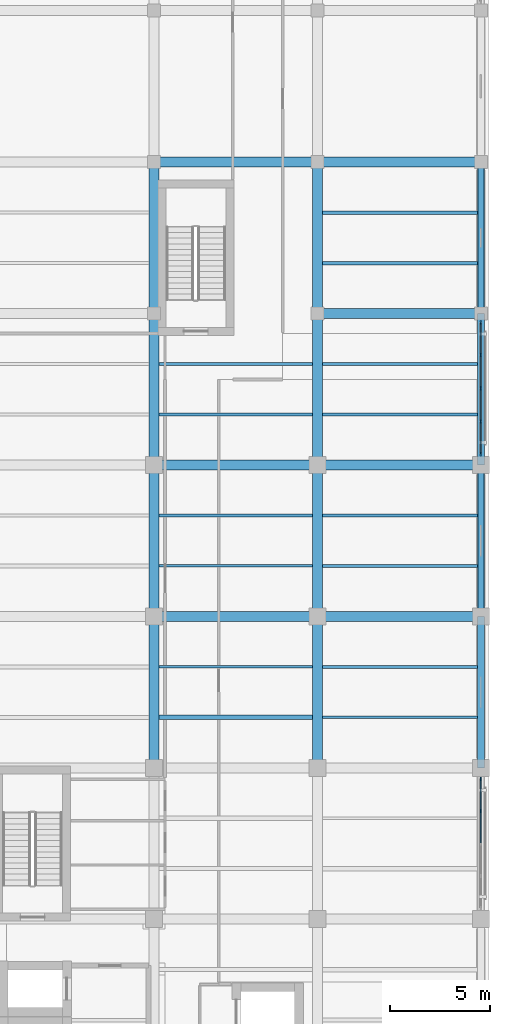
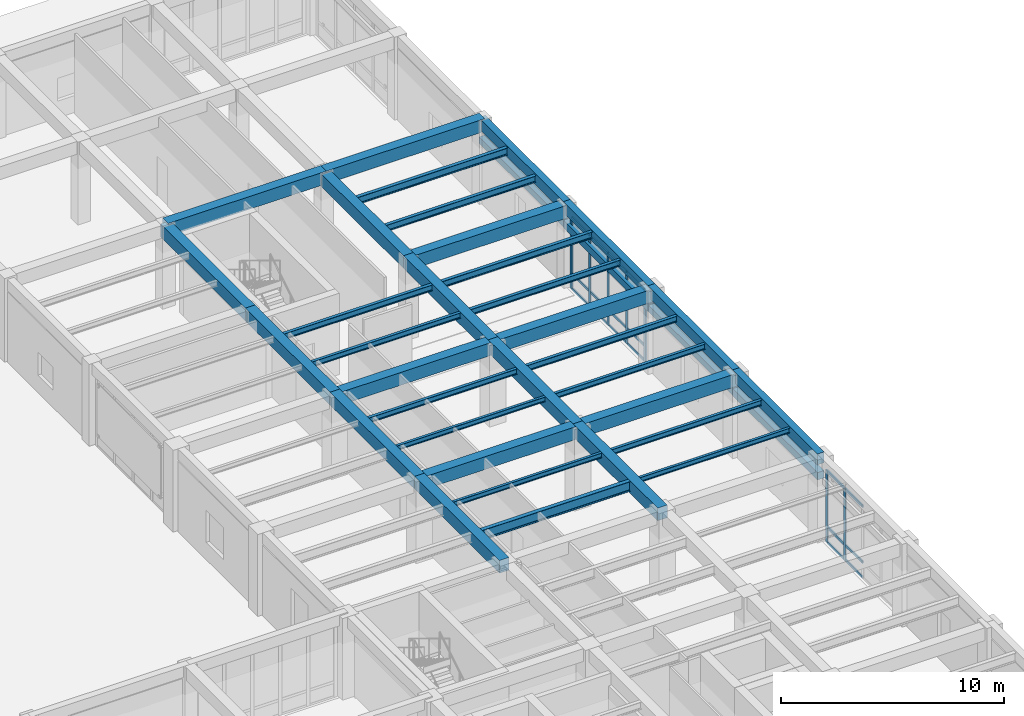
# One storey, part 9 of 23: 37 beams, 25 members, 2 elements without a shape of their own.
"""IFC4 building model written with IfcOpenShell, lengths in metres."""

from ifc_helpers import new_model, si_unit, direction, frame, origin, origin_2d, place, context, subcontext, project, spatial, rectangle, i_section, extrude, material, material_profile, profile_set, type_object, element, aggregate, save


model = new_model("IFC4")

# Units and contexts
model_context = context("Model", 3, precision=1e-05, world=origin(), true_north=direction((0.0, 1.0)))
body_context = subcontext(model_context, "Body", "Model", "MODEL_VIEW")
ifc_project = project(units=[si_unit("LENGTHUNIT", "METRE"), si_unit("AREAUNIT", "SQUARE_METRE"), si_unit("VOLUMEUNIT", "CUBIC_METRE"), si_unit("PLANEANGLEUNIT", "RADIAN"), si_unit("MASSUNIT", "GRAM", prefix="KILO")], contexts=[model_context])

# Site, building, storey
site_placement = place(None, origin())
site = spatial("IfcSite", under=ifc_project, at=site_placement, CompositionType="ELEMENT")
building_placement = place(site_placement, origin())
building = spatial("IfcBuilding", under=site, at=building_placement, Name="Qandaris Square Conservatory and Botanical Centre", CompositionType="ELEMENT")
storey_placement = place(building_placement, frame((0.0, 0.0, 15.0)))
storey = spatial("IfcBuildingStorey", under=building, at=storey_placement, Name="L03", CompositionType="ELEMENT", Elevation=15.0)

# Beams
ifc_material_1 = material(Name="Steel S355", Category="steel")
ifc_material_profile_1 = material_profile(ifc_material_1, i_section(OverallWidth=0.14990234375, OverallDepth=0.300048828125, WebThickness=0.007080078125, FlangeThickness=0.0107421875, FilletRadius=0.014892578125, at=origin_2d()), Name="IPE 300")
ifc_profile_set_1 = profile_set([ifc_material_profile_1], Name="Steel S355")
beam_type_1 = type_object("IfcBeamType", Name="Composite Lab Joist IPE 300", PredefinedType="JOIST", material=ifc_profile_set_1)
for number, where, z_axis, x_axis, name in (
    (1, (147.64990234375, 59.666748046875, 4.320068359375), (1.0, 0.0, 0.0), (0.0, 1.0, 0.0), "L03 Composite Joist 1670"),
    (2, (147.64990234375, 64.7333984375, 4.320068359375), (1.0, 0.0, 0.0), (0.0, 1.0, 0.0), "L03 Composite Joist 1671"),
):
    element("IfcBeam", number, at=place(storey_placement, frame(where, z_axis=z_axis, x_axis=x_axis)), inside=storey, type_object=beam_type_1, Name=name, PredefinedType="JOIST", context=body_context, shape_type="SweptSolid", body=[
        extrude(i_section(OverallWidth=0.14990234375, OverallDepth=0.300048828125, WebThickness=0.007080078125, FlangeThickness=0.0107421875, FilletRadius=0.014892578125, at=origin_2d()), origin(), (0.0, 0.0, 1.0), 7.7001953125),
    ])
for number, where, z_axis, x_axis, name in (
    (3, (155.85009765625, 52.066650390625, 4.320068359375), (1.0, 0.0, 0.0), (0.0, 1.0, 0.0), "L03 Composite Joist 1682"),
    (4, (155.85009765625, 57.13330078125, 4.320068359375), (1.0, 0.0, 0.0), (0.0, 1.0, 0.0), "L03 Composite Joist 1683"),
):
    element("IfcBeam", number, at=place(storey_placement, frame(where, z_axis=z_axis, x_axis=x_axis)), inside=storey, type_object=beam_type_1, Name=name, PredefinedType="JOIST", context=body_context, shape_type="SweptSolid", body=[
        extrude(i_section(OverallWidth=0.14990234375, OverallDepth=0.300048828125, WebThickness=0.007080078125, FlangeThickness=0.0107421875, FilletRadius=0.014892578125, at=origin_2d()), origin(), (0.0, 0.0, 1.0), 7.77490234375),
    ])
ifc_material_profile_2 = material_profile(ifc_material_1, i_section(OverallWidth=0.159912109375, OverallDepth=0.330078125, WebThickness=0.007568359375, FlangeThickness=0.011474609375, FilletRadius=0.01806640625, at=origin_2d()), Name="IPE 330")
ifc_profile_set_2 = profile_set([ifc_material_profile_2], Name="Steel S355")
beam_type_2 = type_object("IfcBeamType", Name="Composite Lab Joist IPE 330", PredefinedType="JOIST", material=ifc_profile_set_2)
beam_1_placement = place(storey_placement, frame((147.64990234375, 67.2666015625, 4.304931640625), z_axis=(1.0, 0.0, 0.0), x_axis=(0.0, 1.0, 0.0)))
element("IfcBeam", 5, at=beam_1_placement, inside=storey, type_object=beam_type_2, Name="L03 Composite Joist 1672", PredefinedType="JOIST", context=body_context, shape_type="SweptSolid", body=[
    extrude(i_section(OverallWidth=0.159912109375, OverallDepth=0.330078125, WebThickness=0.007568359375, FlangeThickness=0.011474609375, FilletRadius=0.01806640625, at=origin_2d()), origin(), (0.0, 0.0, 1.0), 7.7001953125),
])
for number, where, z_axis, x_axis, name in (
    (6, (155.85009765625, 59.666748046875, 4.304931640625), (1.0, 0.0, 0.0), (0.0, 1.0, 0.0), "L03 Composite Joist 1684"),
    (7, (155.85009765625, 64.7333984375, 4.304931640625), (1.0, 0.0, 0.0), (0.0, 1.0, 0.0), "L03 Composite Joist 1685"),
):
    element("IfcBeam", number, at=place(storey_placement, frame(where, z_axis=z_axis, x_axis=x_axis)), inside=storey, type_object=beam_type_2, Name=name, PredefinedType="JOIST", context=body_context, shape_type="SweptSolid", body=[
        extrude(i_section(OverallWidth=0.159912109375, OverallDepth=0.330078125, WebThickness=0.007568359375, FlangeThickness=0.011474609375, FilletRadius=0.01806640625, at=origin_2d()), origin(), (0.0, 0.0, 1.0), 7.77490234375),
    ])
ifc_material_profile_3 = material_profile(ifc_material_1, i_section(OverallWidth=0.169921875, OverallDepth=0.360107421875, WebThickness=0.008056640625, FlangeThickness=0.0126953125, FilletRadius=0.01806640625, at=origin_2d()), Name="IPE 360")
ifc_profile_set_3 = profile_set([ifc_material_profile_3], Name="Steel S355")
beam_type_3 = type_object("IfcBeamType", Name="Composite Lab Joist IPE 360", PredefinedType="JOIST", material=ifc_profile_set_3)
for number, where, z_axis, x_axis, name in (
    (8, (155.85009765625, 67.2666015625, 4.2900390625), (1.0, 0.0, 0.0), (0.0, 1.0, 0.0), "L03 Composite Joist 1686"),
    (9, (155.85009765625, 72.333251953125, 4.2900390625), (1.0, 0.0, 0.0), (0.0, 1.0, 0.0), "L03 Composite Joist 1687"),
):
    element("IfcBeam", number, at=place(storey_placement, frame(where, z_axis=z_axis, x_axis=x_axis)), inside=storey, type_object=beam_type_3, Name=name, PredefinedType="JOIST", context=body_context, shape_type="SweptSolid", body=[
        extrude(i_section(OverallWidth=0.169921875, OverallDepth=0.360107421875, WebThickness=0.008056640625, FlangeThickness=0.0126953125, FilletRadius=0.01806640625, at=origin_2d()), origin(), (0.0, 0.0, 1.0), 7.77490234375),
    ])
ifc_material_profile_4 = material_profile(ifc_material_1, i_section(OverallWidth=0.179931640625, OverallDepth=0.39990234375, WebThickness=0.008544921875, FlangeThickness=0.013427734375, FilletRadius=0.02099609375, at=origin_2d()), Name="IPE 400")
ifc_profile_set_4 = profile_set([ifc_material_profile_4], Name="Steel S355")
beam_type_4 = type_object("IfcBeamType", Name="Composite Plinth Joist IPE 400", PredefinedType="JOIST", material=ifc_profile_set_4)
beam_2_placement = place(storey_placement, frame((155.85009765625, 74.86669921875, 4.27001953125), z_axis=(1.0, 0.0, 0.0), x_axis=(0.0, 1.0, 0.0)))
element("IfcBeam", 10, at=beam_2_placement, inside=storey, type_object=beam_type_4, Name="L03 Composite Joist 1688", PredefinedType="JOIST", context=body_context, shape_type="SweptSolid", body=[
    extrude(i_section(OverallWidth=0.179931640625, OverallDepth=0.39990234375, WebThickness=0.008544921875, FlangeThickness=0.013427734375, FilletRadius=0.02099609375, at=origin_2d()), origin(), (0.0, 0.0, 1.0), 7.77490234375),
])

# Curtain wall, members
ifc_material_2 = material(Name="Anodised Aluminium", Category="aluminium")
curtain_wall_type_1 = type_object("IfcCurtainWallType", Name="Unitised Curtain Wall CW-4-655x394", PredefinedType="USERDEFINED", material=ifc_material_2)
curtain_wall_1_placement = place(storey_placement, origin())
curtain_wall_1 = element("IfcCurtainWall", 11, at=curtain_wall_1_placement, inside=storey, type_object=curtain_wall_type_1, Name="Curtain Wall CW-TWR-L03-2-4", ObjectType="GLAZED CURTAIN WALL", PredefinedType="USERDEFINED")
ifc_material_profile_5 = material_profile(ifc_material_2, rectangle(XDim=0.06494140625, YDim=0.179931640625, at=origin_2d()), Name="ALU-MUL 65x180")
ifc_profile_set_5 = profile_set([ifc_material_profile_5], Name="Anodised Aluminium")
member_type_1 = type_object("IfcMemberType", Name="Curtain Wall Mullion 65x180", PredefinedType="MULLION", material=ifc_profile_set_5)
member_1_placement = place(storey_placement, frame((163.800048828125, 44.83740234375, 0.0), z_axis=(0.0, 0.0, 1.0), x_axis=(-1.0, 0.0, 0.0)))
member_1 = element("IfcMember", 12, at=member_1_placement, type_object=member_type_1, Name="CW-4-655x394 mullion 4", PredefinedType="MULLION", context=body_context, shape_type="SweptSolid", body=[
    extrude(rectangle(XDim=0.06494140625, YDim=0.179931640625, at=origin_2d()), origin(), (0.0, 0.0, 1.0), 3.945068359375),
])
member_2_placement = place(storey_placement, frame((163.800048828125, 46.4423828125, 0.0), z_axis=(0.0, 0.0, 1.0), x_axis=(-1.0, 0.0, 0.0)))
member_2 = element("IfcMember", 13, at=member_2_placement, type_object=member_type_1, Name="CW-4-655x394 mullion 5", PredefinedType="MULLION", context=body_context, shape_type="SweptSolid", body=[
    extrude(rectangle(XDim=0.06494140625, YDim=0.179931640625, at=origin_2d()), origin(), (0.0, 0.0, 1.0), 3.945068359375),
])

curtain_wall_type_2 = type_object("IfcCurtainWallType", Name="Unitised Curtain Wall CW-4-665x394", PredefinedType="USERDEFINED", material=ifc_material_2)
curtain_wall_2_placement = place(storey_placement, origin())
curtain_wall_2 = element("IfcCurtainWall", 14, at=curtain_wall_2_placement, inside=storey, type_object=curtain_wall_type_2, Name="Curtain Wall CW-TWR-L03-2-7", ObjectType="GLAZED CURTAIN WALL", PredefinedType="USERDEFINED")
member_3_placement = place(storey_placement, frame((163.800048828125, 62.757568359375, 0.0), z_axis=(0.0, 0.0, 1.0), x_axis=(-1.0, 0.0, 0.0)))
member_3 = element("IfcMember", 15, at=member_3_placement, type_object=member_type_1, Name="CW-4-665x394 mullion 1", PredefinedType="MULLION", context=body_context, shape_type="SweptSolid", body=[
    extrude(rectangle(XDim=0.06494140625, YDim=0.179931640625, at=origin_2d()), origin(), (0.0, 0.0, 1.0), 3.945068359375),
])
member_4_placement = place(storey_placement, frame((163.800048828125, 64.387451171875, 0.0), z_axis=(0.0, 0.0, 1.0), x_axis=(-1.0, 0.0, 0.0)))
member_4 = element("IfcMember", 16, at=member_4_placement, type_object=member_type_1, Name="CW-4-665x394 mullion 2", PredefinedType="MULLION", context=body_context, shape_type="SweptSolid", body=[
    extrude(rectangle(XDim=0.06494140625, YDim=0.179931640625, at=origin_2d()), origin(), (0.0, 0.0, 1.0), 3.945068359375),
])
member_5_placement = place(storey_placement, frame((163.800048828125, 66.050048828125, 0.0), z_axis=(0.0, 0.0, 1.0), x_axis=(-1.0, 0.0, 0.0)))
member_5 = element("IfcMember", 17, at=member_5_placement, type_object=member_type_1, Name="CW-4-665x394 mullion 3", PredefinedType="MULLION", context=body_context, shape_type="SweptSolid", body=[
    extrude(rectangle(XDim=0.06494140625, YDim=0.179931640625, at=origin_2d()), origin(), (0.0, 0.0, 1.0), 3.945068359375),
])
member_6_placement = place(storey_placement, frame((163.800048828125, 67.71240234375, 0.0), z_axis=(0.0, 0.0, 1.0), x_axis=(-1.0, 0.0, 0.0)))
member_6 = element("IfcMember", 18, at=member_6_placement, type_object=member_type_1, Name="CW-4-665x394 mullion 4", PredefinedType="MULLION", context=body_context, shape_type="SweptSolid", body=[
    extrude(rectangle(XDim=0.06494140625, YDim=0.179931640625, at=origin_2d()), origin(), (0.0, 0.0, 1.0), 3.945068359375),
])
member_7_placement = place(storey_placement, frame((163.800048828125, 69.342529296875, 0.0), z_axis=(0.0, 0.0, 1.0), x_axis=(-1.0, 0.0, 0.0)))
member_7 = element("IfcMember", 19, at=member_7_placement, type_object=member_type_1, Name="CW-4-665x394 mullion 5", PredefinedType="MULLION", context=body_context, shape_type="SweptSolid", body=[
    extrude(rectangle(XDim=0.06494140625, YDim=0.179931640625, at=origin_2d()), origin(), (0.0, 0.0, 1.0), 3.945068359375),
])

# Member
ifc_material_profile_6 = material_profile(ifc_material_2, rectangle(XDim=0.06494140625, YDim=0.139892578125, at=origin_2d()), Name="ALU-TRN 65x140")
ifc_profile_set_6 = profile_set([ifc_material_profile_6], Name="Anodised Aluminium")
member_type_2 = type_object("IfcMemberType", Name="Curtain Wall Transom 65x140", PredefinedType="USERDEFINED", material=ifc_profile_set_6)
member_8_placement = place(storey_placement, frame((163.800048828125, 43.232421875, 0.032470703125), z_axis=(0.0, 1.0, 0.0), x_axis=(-1.0, 0.0, 0.0)))
member_8 = element("IfcMember", 20, at=member_8_placement, type_object=member_type_2, Name="CW-4-655x394 transom 3.1", ObjectType="TRANSOM", PredefinedType="USERDEFINED", context=body_context, shape_type="SweptSolid", body=[
    extrude(rectangle(XDim=0.06494140625, YDim=0.139892578125, at=origin_2d()), origin(), (0.0, 0.0, 1.0), 1.572509765625),
])

member_9_placement = place(storey_placement, frame((163.800048828125, 43.232421875, 0.85009765625), z_axis=(0.0, 1.0, 0.0), x_axis=(-1.0, 0.0, 0.0)))
member_9 = element("IfcMember", 21, at=member_9_placement, type_object=member_type_2, Name="CW-4-655x394 transom 3.2", ObjectType="TRANSOM", PredefinedType="USERDEFINED", context=body_context, shape_type="SweptSolid", body=[
    extrude(rectangle(XDim=0.06494140625, YDim=0.139892578125, at=origin_2d()), origin(), (0.0, 0.0, 1.0), 1.572509765625),
])

member_10_placement = place(storey_placement, frame((163.800048828125, 43.232421875, 3.91259765625), z_axis=(0.0, 1.0, 0.0), x_axis=(-1.0, 0.0, 0.0)))
member_10 = element("IfcMember", 22, at=member_10_placement, type_object=member_type_2, Name="CW-4-655x394 transom 3.3", ObjectType="TRANSOM", PredefinedType="USERDEFINED", context=body_context, shape_type="SweptSolid", body=[
    extrude(rectangle(XDim=0.06494140625, YDim=0.139892578125, at=origin_2d()), origin(), (0.0, 0.0, 1.0), 1.572509765625),
])

member_11_placement = place(storey_placement, frame((163.800048828125, 44.8701171875, 0.032470703125), z_axis=(0.0, 1.0, 0.0), x_axis=(-1.0, 0.0, 0.0)))
member_11 = element("IfcMember", 23, at=member_11_placement, type_object=member_type_2, Name="CW-4-655x394 transom 4.1", ObjectType="TRANSOM", PredefinedType="USERDEFINED", context=body_context, shape_type="SweptSolid", body=[
    extrude(rectangle(XDim=0.06494140625, YDim=0.139892578125, at=origin_2d()), origin(), (0.0, 0.0, 1.0), 1.539794921875),
])

member_12_placement = place(storey_placement, frame((163.800048828125, 44.8701171875, 0.85009765625), z_axis=(0.0, 1.0, 0.0), x_axis=(-1.0, 0.0, 0.0)))
member_12 = element("IfcMember", 24, at=member_12_placement, type_object=member_type_2, Name="CW-4-655x394 transom 4.2", ObjectType="TRANSOM", PredefinedType="USERDEFINED", context=body_context, shape_type="SweptSolid", body=[
    extrude(rectangle(XDim=0.06494140625, YDim=0.139892578125, at=origin_2d()), origin(), (0.0, 0.0, 1.0), 1.539794921875),
])

member_13_placement = place(storey_placement, frame((163.800048828125, 44.8701171875, 3.91259765625), z_axis=(0.0, 1.0, 0.0), x_axis=(-1.0, 0.0, 0.0)))
member_13 = element("IfcMember", 25, at=member_13_placement, type_object=member_type_2, Name="CW-4-655x394 transom 4.3", ObjectType="TRANSOM", PredefinedType="USERDEFINED", context=body_context, shape_type="SweptSolid", body=[
    extrude(rectangle(XDim=0.06494140625, YDim=0.139892578125, at=origin_2d()), origin(), (0.0, 0.0, 1.0), 1.539794921875),
])

aggregate(curtain_wall_1, [member_1, member_2, member_8, member_9, member_10, member_11, member_12, member_13])

member_14_placement = place(storey_placement, frame((163.800048828125, 62.7900390625, 0.032470703125), z_axis=(0.0, 1.0, 0.0), x_axis=(-1.0, 0.0, 0.0)))
member_14 = element("IfcMember", 26, at=member_14_placement, type_object=member_type_2, Name="CW-4-665x394 transom 1.1", ObjectType="TRANSOM", PredefinedType="USERDEFINED", context=body_context, shape_type="SweptSolid", body=[
    extrude(rectangle(XDim=0.06494140625, YDim=0.139892578125, at=origin_2d()), origin(), (0.0, 0.0, 1.0), 1.56494140625),
])

member_15_placement = place(storey_placement, frame((163.800048828125, 62.7900390625, 0.85009765625), z_axis=(0.0, 1.0, 0.0), x_axis=(-1.0, 0.0, 0.0)))
member_15 = element("IfcMember", 27, at=member_15_placement, type_object=member_type_2, Name="CW-4-665x394 transom 1.2", ObjectType="TRANSOM", PredefinedType="USERDEFINED", context=body_context, shape_type="SweptSolid", body=[
    extrude(rectangle(XDim=0.06494140625, YDim=0.139892578125, at=origin_2d()), origin(), (0.0, 0.0, 1.0), 1.56494140625),
])

member_16_placement = place(storey_placement, frame((163.800048828125, 62.7900390625, 3.91259765625), z_axis=(0.0, 1.0, 0.0), x_axis=(-1.0, 0.0, 0.0)))
member_16 = element("IfcMember", 28, at=member_16_placement, type_object=member_type_2, Name="CW-4-665x394 transom 1.3", ObjectType="TRANSOM", PredefinedType="USERDEFINED", context=body_context, shape_type="SweptSolid", body=[
    extrude(rectangle(XDim=0.06494140625, YDim=0.139892578125, at=origin_2d()), origin(), (0.0, 0.0, 1.0), 1.56494140625),
])

member_17_placement = place(storey_placement, frame((163.800048828125, 64.419921875, 0.032470703125), z_axis=(0.0, 1.0, 0.0), x_axis=(-1.0, 0.0, 0.0)))
member_17 = element("IfcMember", 29, at=member_17_placement, type_object=member_type_2, Name="CW-4-665x394 transom 2.1", ObjectType="TRANSOM", PredefinedType="USERDEFINED", context=body_context, shape_type="SweptSolid", body=[
    extrude(rectangle(XDim=0.06494140625, YDim=0.139892578125, at=origin_2d()), origin(), (0.0, 0.0, 1.0), 1.59765625),
])

member_18_placement = place(storey_placement, frame((163.800048828125, 64.419921875, 0.85009765625), z_axis=(0.0, 1.0, 0.0), x_axis=(-1.0, 0.0, 0.0)))
member_18 = element("IfcMember", 30, at=member_18_placement, type_object=member_type_2, Name="CW-4-665x394 transom 2.2", ObjectType="TRANSOM", PredefinedType="USERDEFINED", context=body_context, shape_type="SweptSolid", body=[
    extrude(rectangle(XDim=0.06494140625, YDim=0.139892578125, at=origin_2d()), origin(), (0.0, 0.0, 1.0), 1.59765625),
])

member_19_placement = place(storey_placement, frame((163.800048828125, 64.419921875, 3.91259765625), z_axis=(0.0, 1.0, 0.0), x_axis=(-1.0, 0.0, 0.0)))
member_19 = element("IfcMember", 31, at=member_19_placement, type_object=member_type_2, Name="CW-4-665x394 transom 2.3", ObjectType="TRANSOM", PredefinedType="USERDEFINED", context=body_context, shape_type="SweptSolid", body=[
    extrude(rectangle(XDim=0.06494140625, YDim=0.139892578125, at=origin_2d()), origin(), (0.0, 0.0, 1.0), 1.59765625),
])

member_20_placement = place(storey_placement, frame((163.800048828125, 66.08251953125, 0.032470703125), z_axis=(0.0, 1.0, 0.0), x_axis=(-1.0, 0.0, 0.0)))
member_20 = element("IfcMember", 32, at=member_20_placement, type_object=member_type_2, Name="CW-4-665x394 transom 3.1", ObjectType="TRANSOM", PredefinedType="USERDEFINED", context=body_context, shape_type="SweptSolid", body=[
    extrude(rectangle(XDim=0.06494140625, YDim=0.139892578125, at=origin_2d()), origin(), (0.0, 0.0, 1.0), 1.597412109375),
])

member_21_placement = place(storey_placement, frame((163.800048828125, 66.08251953125, 0.85009765625), z_axis=(0.0, 1.0, 0.0), x_axis=(-1.0, 0.0, 0.0)))
member_21 = element("IfcMember", 33, at=member_21_placement, type_object=member_type_2, Name="CW-4-665x394 transom 3.2", ObjectType="TRANSOM", PredefinedType="USERDEFINED", context=body_context, shape_type="SweptSolid", body=[
    extrude(rectangle(XDim=0.06494140625, YDim=0.139892578125, at=origin_2d()), origin(), (0.0, 0.0, 1.0), 1.597412109375),
])

member_22_placement = place(storey_placement, frame((163.800048828125, 66.08251953125, 3.91259765625), z_axis=(0.0, 1.0, 0.0), x_axis=(-1.0, 0.0, 0.0)))
member_22 = element("IfcMember", 34, at=member_22_placement, type_object=member_type_2, Name="CW-4-665x394 transom 3.3", ObjectType="TRANSOM", PredefinedType="USERDEFINED", context=body_context, shape_type="SweptSolid", body=[
    extrude(rectangle(XDim=0.06494140625, YDim=0.139892578125, at=origin_2d()), origin(), (0.0, 0.0, 1.0), 1.597412109375),
])

member_23_placement = place(storey_placement, frame((163.800048828125, 67.7451171875, 0.032470703125), z_axis=(0.0, 1.0, 0.0), x_axis=(-1.0, 0.0, 0.0)))
member_23 = element("IfcMember", 35, at=member_23_placement, type_object=member_type_2, Name="CW-4-665x394 transom 4.1", ObjectType="TRANSOM", PredefinedType="USERDEFINED", context=body_context, shape_type="SweptSolid", body=[
    extrude(rectangle(XDim=0.06494140625, YDim=0.139892578125, at=origin_2d()), origin(), (0.0, 0.0, 1.0), 1.56494140625),
])

member_24_placement = place(storey_placement, frame((163.800048828125, 67.7451171875, 0.85009765625), z_axis=(0.0, 1.0, 0.0), x_axis=(-1.0, 0.0, 0.0)))
member_24 = element("IfcMember", 36, at=member_24_placement, type_object=member_type_2, Name="CW-4-665x394 transom 4.2", ObjectType="TRANSOM", PredefinedType="USERDEFINED", context=body_context, shape_type="SweptSolid", body=[
    extrude(rectangle(XDim=0.06494140625, YDim=0.139892578125, at=origin_2d()), origin(), (0.0, 0.0, 1.0), 1.56494140625),
])

member_25_placement = place(storey_placement, frame((163.800048828125, 67.7451171875, 3.91259765625), z_axis=(0.0, 1.0, 0.0), x_axis=(-1.0, 0.0, 0.0)))
member_25 = element("IfcMember", 37, at=member_25_placement, type_object=member_type_2, Name="CW-4-665x394 transom 4.3", ObjectType="TRANSOM", PredefinedType="USERDEFINED", context=body_context, shape_type="SweptSolid", body=[
    extrude(rectangle(XDim=0.06494140625, YDim=0.139892578125, at=origin_2d()), origin(), (0.0, 0.0, 1.0), 1.56494140625),
])

aggregate(curtain_wall_2, [member_3, member_4, member_5, member_6, member_7, member_14, member_15, member_16, member_17, member_18, member_19, member_20, member_21, member_22, member_23, member_24, member_25])

# Beams
ifc_material_profile_7 = material_profile(ifc_material_1, i_section(OverallWidth=0.2099609375, OverallDepth=0.550048828125, WebThickness=0.010986328125, FlangeThickness=0.01708984375, FilletRadius=0.02392578125, at=origin_2d()), Name="IPE 550")
ifc_profile_set_7 = profile_set([ifc_material_profile_7], Name="Steel S355")
beam_type_5 = type_object("IfcBeamType", Name="Long-Span Foyer Joist IPE 550", PredefinedType="JOIST", material=ifc_profile_set_7)
beam_3_placement = place(storey_placement, frame((147.64990234375, 49.533203125, 4.195068359375), z_axis=(1.0, 0.0, 0.0), x_axis=(0.0, 1.0, 0.0)))
element("IfcBeam", 38, at=beam_3_placement, inside=storey, type_object=beam_type_5, Name="L03 Composite Joist 1667", PredefinedType="JOIST", context=body_context, shape_type="SweptSolid", body=[
    extrude(i_section(OverallWidth=0.2099609375, OverallDepth=0.550048828125, WebThickness=0.010986328125, FlangeThickness=0.01708984375, FilletRadius=0.02392578125, at=origin_2d()), origin(), (0.0, 0.0, 1.0), 7.7001953125),
])
ifc_material_3 = material(Name="Precast concrete C40/50", Category="concrete")
ifc_material_profile_8 = material_profile(ifc_material_3, rectangle(XDim=0.300048828125, YDim=0.35009765625, at=origin_2d()), Name="RC-LN 300x350")
ifc_profile_set_8 = profile_set([ifc_material_profile_8], Name="Precast concrete C40/50")
beam_type_6 = type_object("IfcBeamType", Name="Precast Opening Lintel 300x350", PredefinedType="LINTEL", material=ifc_profile_set_8)
for number, where, z_axis, x_axis, name in (
    (39, (163.800048828125, 54.60009765625, 3.294921875), (0.0, 1.0, 0.0), (-1.0, 0.0, 0.0), "Precast Lintel 042"),
    (40, (163.800048828125, 69.800048828125, 3.294921875), (0.0, 1.0, 0.0), (-1.0, 0.0, 0.0), "Precast Lintel 044"),
):
    element("IfcBeam", number, at=place(storey_placement, frame(where, z_axis=z_axis, x_axis=x_axis)), inside=storey, type_object=beam_type_6, Name=name, PredefinedType="LINTEL", context=body_context, shape_type="SweptSolid", body=[
        extrude(rectangle(XDim=0.300048828125, YDim=0.35009765625, at=origin_2d()), origin(), (0.0, 0.0, 1.0), 7.599853515625),
    ])
ifc_material_profile_9 = material_profile(ifc_material_3, rectangle(XDim=0.35009765625, YDim=0.39990234375, at=origin_2d()), Name="RC-LN 350x400")
ifc_profile_set_9 = profile_set([ifc_material_profile_9], Name="Precast concrete C40/50")
beam_type_7 = type_object("IfcBeamType", Name="Precast Opening Lintel 350x400", PredefinedType="LINTEL", material=ifc_profile_set_9)
for number, where, z_axis, x_axis, name in (
    (41, (163.800048828125, 47.0, 3.320068359375), (0.0, 1.0, 0.0), (-1.0, 0.0, 0.0), "Precast Lintel 041"),
    (42, (163.800048828125, 62.199951171875, 3.320068359375), (0.0, 1.0, 0.0), (-1.0, 0.0, 0.0), "Precast Lintel 043"),
):
    element("IfcBeam", number, at=place(storey_placement, frame(where, z_axis=z_axis, x_axis=x_axis)), inside=storey, type_object=beam_type_7, Name=name, PredefinedType="LINTEL", context=body_context, shape_type="SweptSolid", body=[
        extrude(rectangle(XDim=0.35009765625, YDim=0.39990234375, at=origin_2d()), origin(), (0.0, 0.0, 1.0), 7.60009765625),
    ])
ifc_material_4 = material(Name="Concrete C50/60", Category="concrete")
ifc_material_profile_10 = material_profile(ifc_material_4, rectangle(XDim=0.35009765625, YDim=0.60009765625, at=origin_2d()), Name="RC-SP 350x600")
ifc_profile_set_10 = profile_set([ifc_material_profile_10], Name="Concrete C50/60")
beam_type_8 = type_object("IfcBeamType", Name="RC Edge Spandrel Beam 350x600", PredefinedType="SPANDREL", material=ifc_profile_set_10)
beam_4_placement = place(storey_placement, frame((163.800048828125, 47.0, 4.2451171875), z_axis=(0.0, 1.0, 0.0), x_axis=(-1.0, 0.0, 0.0)))
element("IfcBeam", 43, at=beam_4_placement, inside=storey, type_object=beam_type_8, Name="L03 Frame Beam 1627", PredefinedType="SPANDREL", context=body_context, shape_type="SweptSolid", body=[
    extrude(rectangle(XDim=0.35009765625, YDim=0.60009765625, at=origin_2d()), origin(), (0.0, 0.0, 1.0), 7.60009765625),
])
beam_5_placement = place(storey_placement, frame((163.800048828125, 54.60009765625, 4.2451171875), z_axis=(0.0, 1.0, 0.0), x_axis=(-1.0, 0.0, 0.0)))
element("IfcBeam", 44, at=beam_5_placement, inside=storey, type_object=beam_type_8, Name="L03 Frame Beam 1628", PredefinedType="SPANDREL", context=body_context, shape_type="SweptSolid", body=[
    extrude(rectangle(XDim=0.35009765625, YDim=0.60009765625, at=origin_2d()), origin(), (0.0, 0.0, 1.0), 7.599853515625),
])
beam_6_placement = place(storey_placement, frame((163.800048828125, 62.199951171875, 4.2451171875), z_axis=(0.0, 1.0, 0.0), x_axis=(-1.0, 0.0, 0.0)))
element("IfcBeam", 45, at=beam_6_placement, inside=storey, type_object=beam_type_8, Name="L03 Frame Beam 1629", PredefinedType="SPANDREL", context=body_context, shape_type="SweptSolid", body=[
    extrude(rectangle(XDim=0.35009765625, YDim=0.60009765625, at=origin_2d()), origin(), (0.0, 0.0, 1.0), 7.60009765625),
])
beam_7_placement = place(storey_placement, frame((163.800048828125, 69.800048828125, 4.2451171875), z_axis=(0.0, 1.0, 0.0), x_axis=(-1.0, 0.0, 0.0)))
element("IfcBeam", 46, at=beam_7_placement, inside=storey, type_object=beam_type_8, Name="L03 Frame Beam 1630", PredefinedType="SPANDREL", context=body_context, shape_type="SweptSolid", body=[
    extrude(rectangle(XDim=0.35009765625, YDim=0.60009765625, at=origin_2d()), origin(), (0.0, 0.0, 1.0), 7.599853515625),
])
ifc_material_profile_11 = material_profile(ifc_material_4, rectangle(XDim=0.5, YDim=0.699951171875, at=origin_2d()), Name="RC-BM 500x700")
ifc_profile_set_11 = profile_set([ifc_material_profile_11], Name="Concrete C50/60")
beam_type_9 = type_object("IfcBeamType", Name="RC Floor Girder 500x700", PredefinedType="BEAM", material=ifc_profile_set_11)
beam_8_placement = place(storey_placement, frame((147.39990234375, 54.60009765625, 4.1298828125), z_axis=(1.0, 0.0, 0.0), x_axis=(0.0, 1.0, 0.0)))
element("IfcBeam", 47, at=beam_8_placement, inside=storey, type_object=beam_type_9, Name="L03 Frame Beam 1565", PredefinedType="BEAM", context=body_context, shape_type="SweptSolid", body=[
    extrude(rectangle(XDim=0.5, YDim=0.699951171875, at=origin_2d()), origin(), (0.0, 0.0, 1.0), 8.2001953125),
])
beam_9_placement = place(storey_placement, frame((155.60009765625, 54.60009765625, 4.1298828125), z_axis=(1.0, 0.0, 0.0), x_axis=(0.0, 1.0, 0.0)))
element("IfcBeam", 48, at=beam_9_placement, inside=storey, type_object=beam_type_9, Name="L03 Frame Beam 1566", PredefinedType="BEAM", context=body_context, shape_type="SweptSolid", body=[
    extrude(rectangle(XDim=0.5, YDim=0.699951171875, at=origin_2d()), origin(), (0.0, 0.0, 1.0), 8.199951171875),
])
beam_10_placement = place(storey_placement, frame((147.39990234375, 62.199951171875, 4.1298828125), z_axis=(1.0, 0.0, 0.0), x_axis=(0.0, 1.0, 0.0)))
element("IfcBeam", 49, at=beam_10_placement, inside=storey, type_object=beam_type_9, Name="L03 Frame Beam 1568", PredefinedType="BEAM", context=body_context, shape_type="SweptSolid", body=[
    extrude(rectangle(XDim=0.5, YDim=0.699951171875, at=origin_2d()), origin(), (0.0, 0.0, 1.0), 8.2001953125),
])
for number, where, z_axis, x_axis, name in (
    (50, (155.60009765625, 62.199951171875, 4.1298828125), (1.0, 0.0, 0.0), (0.0, 1.0, 0.0), "L03 Frame Beam 1569"),
    (51, (155.60009765625, 69.800048828125, 4.1298828125), (1.0, 0.0, 0.0), (0.0, 1.0, 0.0), "L03 Frame Beam 1571"),
):
    element("IfcBeam", number, at=place(storey_placement, frame(where, z_axis=z_axis, x_axis=x_axis)), inside=storey, type_object=beam_type_9, Name=name, PredefinedType="BEAM", context=body_context, shape_type="SweptSolid", body=[
        extrude(rectangle(XDim=0.5, YDim=0.699951171875, at=origin_2d()), origin(), (0.0, 0.0, 1.0), 8.199951171875),
    ])
beam_11_placement = place(storey_placement, frame((147.39990234375, 77.39990234375, 4.219970703125), z_axis=(1.0, 0.0, 0.0), x_axis=(0.0, 1.0, 0.0)))
element("IfcBeam", 52, at=beam_11_placement, inside=storey, type_object=beam_type_9, Name="L03 Frame Beam 1573", PredefinedType="BEAM", context=body_context, shape_type="SweptSolid", body=[
    extrude(rectangle(XDim=0.5, YDim=0.699951171875, at=origin_2d()), origin(), (0.0, 0.0, 1.0), 8.2001953125),
])
beam_12_placement = place(storey_placement, frame((155.60009765625, 77.39990234375, 4.219970703125), z_axis=(1.0, 0.0, 0.0), x_axis=(0.0, 1.0, 0.0)))
element("IfcBeam", 53, at=beam_12_placement, inside=storey, type_object=beam_type_9, Name="L03 Frame Beam 1574", PredefinedType="BEAM", context=body_context, shape_type="SweptSolid", body=[
    extrude(rectangle(XDim=0.5, YDim=0.699951171875, at=origin_2d()), origin(), (0.0, 0.0, 1.0), 8.199951171875),
])
beam_13_placement = place(storey_placement, frame((147.39990234375, 47.0, 4.1298828125), z_axis=(0.0, 1.0, 0.0), x_axis=(-1.0, 0.0, 0.0)))
element("IfcBeam", 54, at=beam_13_placement, inside=storey, type_object=beam_type_9, Name="L03 Frame Beam 1607", PredefinedType="BEAM", context=body_context, shape_type="SweptSolid", body=[
    extrude(rectangle(XDim=0.5, YDim=0.699951171875, at=origin_2d()), origin(), (0.0, 0.0, 1.0), 7.60009765625),
])
beam_14_placement = place(storey_placement, frame((147.39990234375, 54.60009765625, 4.1298828125), z_axis=(0.0, 1.0, 0.0), x_axis=(-1.0, 0.0, 0.0)))
element("IfcBeam", 55, at=beam_14_placement, inside=storey, type_object=beam_type_9, Name="L03 Frame Beam 1608", PredefinedType="BEAM", context=body_context, shape_type="SweptSolid", body=[
    extrude(rectangle(XDim=0.5, YDim=0.699951171875, at=origin_2d()), origin(), (0.0, 0.0, 1.0), 7.599853515625),
])
beam_15_placement = place(storey_placement, frame((147.39990234375, 62.199951171875, 4.1298828125), z_axis=(0.0, 1.0, 0.0), x_axis=(-1.0, 0.0, 0.0)))
element("IfcBeam", 56, at=beam_15_placement, inside=storey, type_object=beam_type_9, Name="L03 Frame Beam 1609", PredefinedType="BEAM", context=body_context, shape_type="SweptSolid", body=[
    extrude(rectangle(XDim=0.5, YDim=0.699951171875, at=origin_2d()), origin(), (0.0, 0.0, 1.0), 7.60009765625),
])
beam_16_placement = place(storey_placement, frame((147.39990234375, 69.800048828125, 4.1298828125), z_axis=(0.0, 1.0, 0.0), x_axis=(-1.0, 0.0, 0.0)))
element("IfcBeam", 57, at=beam_16_placement, inside=storey, type_object=beam_type_9, Name="L03 Frame Beam 1610", PredefinedType="BEAM", context=body_context, shape_type="SweptSolid", body=[
    extrude(rectangle(XDim=0.5, YDim=0.699951171875, at=origin_2d()), origin(), (0.0, 0.0, 1.0), 7.599853515625),
])
beam_17_placement = place(storey_placement, frame((155.60009765625, 47.0, 4.1298828125), z_axis=(0.0, 1.0, 0.0), x_axis=(-1.0, 0.0, 0.0)))
element("IfcBeam", 58, at=beam_17_placement, inside=storey, type_object=beam_type_9, Name="L03 Frame Beam 1617", PredefinedType="BEAM", context=body_context, shape_type="SweptSolid", body=[
    extrude(rectangle(XDim=0.5, YDim=0.699951171875, at=origin_2d()), origin(), (0.0, 0.0, 1.0), 7.60009765625),
])
beam_18_placement = place(storey_placement, frame((155.60009765625, 54.60009765625, 4.1298828125), z_axis=(0.0, 1.0, 0.0), x_axis=(-1.0, 0.0, 0.0)))
element("IfcBeam", 59, at=beam_18_placement, inside=storey, type_object=beam_type_9, Name="L03 Frame Beam 1618", PredefinedType="BEAM", context=body_context, shape_type="SweptSolid", body=[
    extrude(rectangle(XDim=0.5, YDim=0.699951171875, at=origin_2d()), origin(), (0.0, 0.0, 1.0), 7.599853515625),
])
beam_19_placement = place(storey_placement, frame((155.60009765625, 62.199951171875, 4.1298828125), z_axis=(0.0, 1.0, 0.0), x_axis=(-1.0, 0.0, 0.0)))
element("IfcBeam", 60, at=beam_19_placement, inside=storey, type_object=beam_type_9, Name="L03 Frame Beam 1619", PredefinedType="BEAM", context=body_context, shape_type="SweptSolid", body=[
    extrude(rectangle(XDim=0.5, YDim=0.699951171875, at=origin_2d()), origin(), (0.0, 0.0, 1.0), 7.60009765625),
])
beam_20_placement = place(storey_placement, frame((155.60009765625, 69.800048828125, 4.1298828125), z_axis=(0.0, 1.0, 0.0), x_axis=(-1.0, 0.0, 0.0)))
element("IfcBeam", 61, at=beam_20_placement, inside=storey, type_object=beam_type_9, Name="L03 Frame Beam 1620", PredefinedType="BEAM", context=body_context, shape_type="SweptSolid", body=[
    extrude(rectangle(XDim=0.5, YDim=0.699951171875, at=origin_2d()), origin(), (0.0, 0.0, 1.0), 7.599853515625),
])
ifc_material_profile_12 = material_profile(ifc_material_1, i_section(OverallWidth=0.135009765625, OverallDepth=0.27001953125, WebThickness=0.006591796875, FlangeThickness=0.01025390625, FilletRadius=0.014892578125, at=origin_2d()), Name="IPE 270")
ifc_profile_set_12 = profile_set([ifc_material_profile_12], Name="Steel S355")
beam_type_10 = type_object("IfcBeamType", Name="Steel Floor Joist IPE 270", PredefinedType="JOIST", material=ifc_profile_set_12)
for number, where, z_axis, x_axis, name in (
    (62, (147.64990234375, 52.066650390625, 4.3349609375), (1.0, 0.0, 0.0), (0.0, 1.0, 0.0), "L03 Composite Joist 1668"),
    (63, (147.64990234375, 57.13330078125, 4.3349609375), (1.0, 0.0, 0.0), (0.0, 1.0, 0.0), "L03 Composite Joist 1669"),
):
    element("IfcBeam", number, at=place(storey_placement, frame(where, z_axis=z_axis, x_axis=x_axis)), inside=storey, type_object=beam_type_10, Name=name, PredefinedType="JOIST", context=body_context, shape_type="SweptSolid", body=[
        extrude(i_section(OverallWidth=0.135009765625, OverallDepth=0.27001953125, WebThickness=0.006591796875, FlangeThickness=0.01025390625, FilletRadius=0.014892578125, at=origin_2d()), origin(), (0.0, 0.0, 1.0), 7.7001953125),
    ])
beam_21_placement = place(storey_placement, frame((155.85009765625, 49.533203125, 4.3349609375), z_axis=(1.0, 0.0, 0.0), x_axis=(0.0, 1.0, 0.0)))
element("IfcBeam", 64, at=beam_21_placement, inside=storey, type_object=beam_type_10, Name="L03 Composite Joist 1681", PredefinedType="JOIST", context=body_context, shape_type="SweptSolid", body=[
    extrude(i_section(OverallWidth=0.135009765625, OverallDepth=0.27001953125, WebThickness=0.006591796875, FlangeThickness=0.01025390625, FilletRadius=0.014892578125, at=origin_2d()), origin(), (0.0, 0.0, 1.0), 7.77490234375),
])

save(model, "model.ifc")
